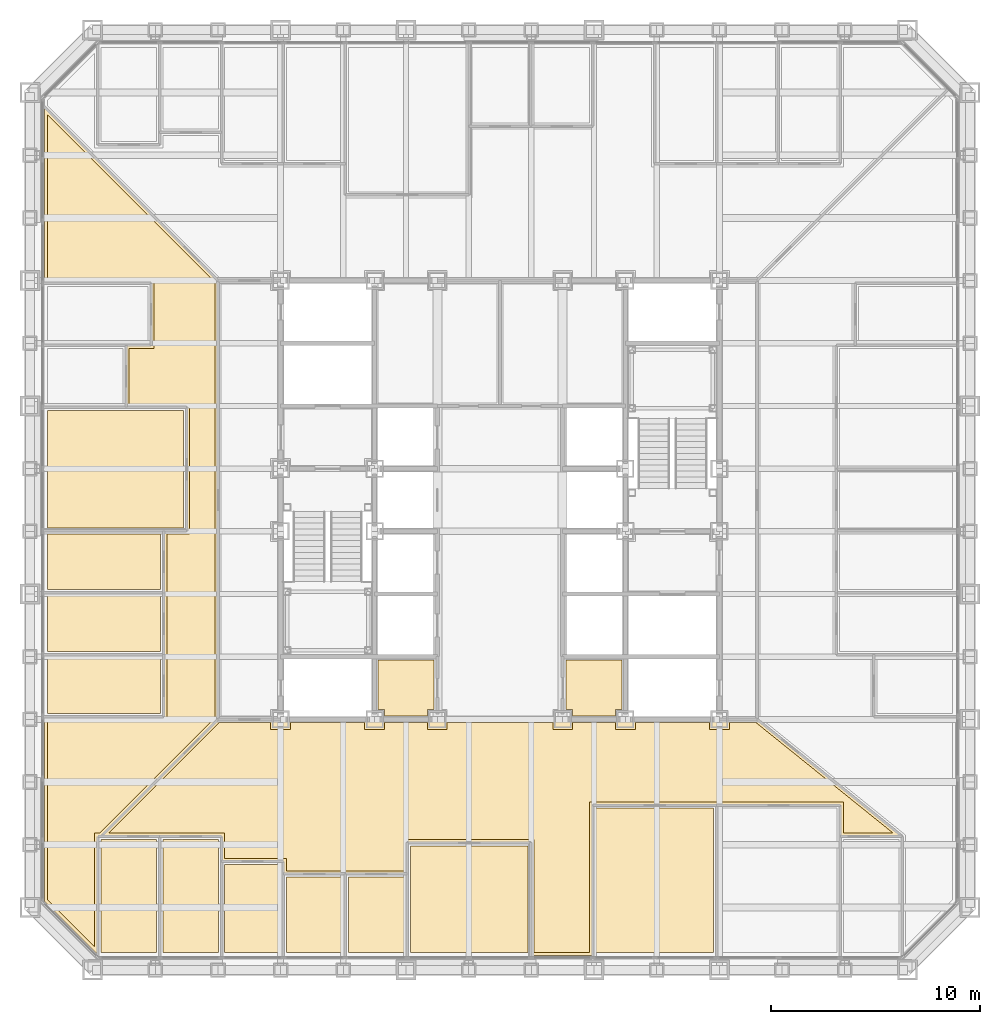
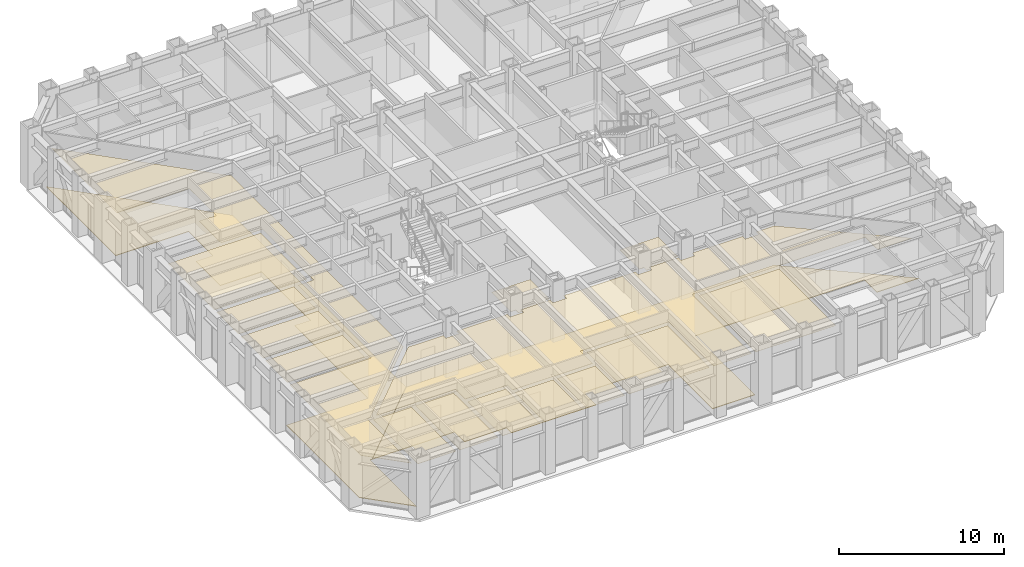
# One storey, part 14 of 17: 17 coverings.
"""IFC4 building model written with IfcOpenShell, lengths in metres."""

from ifc_helpers import new_model, si_unit, direction, frame, origin, place, context, subcontext, project, spatial, polyline, outline, extrude, material, layer, layer_set, type_object, element, save


model = new_model("IFC4")

# Units and contexts
model_context = context("Model", 3, precision=1e-05, world=origin(), true_north=direction((0.0, 1.0)))
body_context = subcontext(model_context, "Body", "Model", "MODEL_VIEW")
ifc_project = project(units=[si_unit("LENGTHUNIT", "METRE"), si_unit("AREAUNIT", "SQUARE_METRE"), si_unit("VOLUMEUNIT", "CUBIC_METRE"), si_unit("PLANEANGLEUNIT", "RADIAN"), si_unit("MASSUNIT", "GRAM", prefix="KILO")], contexts=[model_context])

# Site, building, storey
site_placement = place(None, origin())
site = spatial("IfcSite", under=ifc_project, at=site_placement, CompositionType="ELEMENT")
building_placement = place(site_placement, origin())
building = spatial("IfcBuilding", under=site, at=building_placement, Name="Chuquiago Exchange Tower", CompositionType="ELEMENT")
storey_placement = place(building_placement, frame((0.0, 0.0, 37.800048828125)))
storey = spatial("IfcBuildingStorey", under=building, at=storey_placement, Name="L07", CompositionType="ELEMENT", Elevation=37.800048828125)

# Coverings
ifc_material_1 = material(Name="Mineral fibre tile, 600 x 600, on pale metal grid", Category="mineral fibre")
ifc_layer_1 = layer(ifc_material_1, 0.02001953125)
ifc_layer_set_1 = layer_set([ifc_layer_1], Name="CL1 suspended tile ceiling 20")
covering_type_1 = type_object("IfcCoveringType", Name="CL1 suspended tile ceiling 20", PredefinedType="CEILING", material=ifc_layer_set_1)
covering_1_placement = place(storey_placement, frame((0.0, 0.0, 3.0)))
element("IfcCovering", 1, at=covering_1_placement, inside=storey, type_object=covering_type_1, Name="Ceiling Office", PredefinedType="CEILING", context=body_context, shape_type="SweptSolid", body=[
    extrude(outline(polyline([(3.3984375, 6.25), (6.060302734375, 6.25), (6.060302734375, 0.85009765625), (3.3984375, 0.85009765625), (3.3984375, 6.25)])), origin(), (0.0, 0.0, 1.0), 0.02001953125),
])
covering_2_placement = place(storey_placement, frame((0.0, 0.0, 3.0)))
element("IfcCovering", 2, at=covering_2_placement, inside=storey, type_object=covering_type_1, Name="Ceiling Office", PredefinedType="CEILING", context=body_context, shape_type="SweptSolid", body=[
    extrude(outline(polyline([(6.3603515625, 6.25), (9.022216796875, 6.25), (9.022216796875, 0.85009765625), (6.3603515625, 0.85009765625), (6.3603515625, 6.25)])), origin(), (0.0, 0.0, 1.0), 0.02001953125),
])
covering_3_placement = place(storey_placement, frame((0.0, 0.0, 3.0)))
element("IfcCovering", 3, at=covering_3_placement, inside=storey, type_object=covering_type_1, Name="Ceiling Pantry", PredefinedType="CEILING", context=body_context, shape_type="SweptSolid", body=[
    extrude(outline(polyline([(9.322021484375, 5.050048828125), (11.98388671875, 5.050048828125), (11.98388671875, 0.85009765625), (9.322021484375, 0.85009765625), (9.322021484375, 5.050048828125)])), origin(), (0.0, 0.0, 1.0), 0.02001953125),
])
covering_4_placement = place(storey_placement, frame((0.0, 0.0, 3.0)))
element("IfcCovering", 4, at=covering_4_placement, inside=storey, type_object=covering_type_1, Name="Ceiling Focus room", PredefinedType="CEILING", context=body_context, shape_type="SweptSolid", body=[
    extrude(outline(polyline([(12.28369140625, 4.449951171875), (14.945556640625, 4.449951171875), (14.945556640625, 0.85009765625), (12.28369140625, 0.85009765625), (12.28369140625, 4.449951171875)])), origin(), (0.0, 0.0, 1.0), 0.02001953125),
])
covering_5_placement = place(storey_placement, frame((0.0, 0.0, 3.0)))
element("IfcCovering", 5, at=covering_5_placement, inside=storey, type_object=covering_type_1, Name="Ceiling Focus room", PredefinedType="CEILING", context=body_context, shape_type="SweptSolid", body=[
    extrude(outline(polyline([(15.24560546875, 4.449951171875), (17.907470703125, 4.449951171875), (17.907470703125, 0.85009765625), (15.24560546875, 0.85009765625), (15.24560546875, 4.449951171875)])), origin(), (0.0, 0.0, 1.0), 0.02001953125),
])
covering_6_placement = place(storey_placement, frame((0.0, 0.0, 3.0)))
element("IfcCovering", 6, at=covering_6_placement, inside=storey, type_object=covering_type_1, Name="Ceiling Meeting room", PredefinedType="CEILING", context=body_context, shape_type="SweptSolid", body=[
    extrude(outline(polyline([(18.20751953125, 5.949951171875), (23.830810546875, 5.949951171875), (23.830810546875, 0.85009765625), (18.20751953125, 0.85009765625), (18.20751953125, 5.949951171875)])), origin(), (0.0, 0.0, 1.0), 0.02001953125),
])
covering_7_placement = place(storey_placement, frame((0.0, 0.0, 3.0)))
element("IfcCovering", 7, at=covering_7_placement, inside=storey, type_object=covering_type_1, Name="Ceiling Risk management office", PredefinedType="CEILING", context=body_context, shape_type="SweptSolid", body=[
    extrude(outline(polyline([(27.092529296875, 7.75), (32.71630859375, 7.75), (32.71630859375, 0.85009765625), (27.092529296875, 0.85009765625), (27.092529296875, 7.75)])), origin(), (0.0, 0.0, 1.0), 0.02001953125),
])
covering_8_placement = place(storey_placement, frame((0.0, 0.0, 3.0)))
element("IfcCovering", 8, at=covering_8_placement, inside=storey, type_object=covering_type_1, Name="Ceiling Meeting room", PredefinedType="CEILING", context=body_context, shape_type="SweptSolid", body=[
    extrude(outline(polyline([(6.25, 14.945556640625), (6.25, 12.28369140625), (0.85009765625, 12.28369140625), (0.85009765625, 14.945556640625), (6.25, 14.945556640625)])), origin(), (0.0, 0.0, 1.0), 0.02001953125),
])
covering_9_placement = place(storey_placement, frame((0.0, 0.0, 3.0)))
element("IfcCovering", 9, at=covering_9_placement, inside=storey, type_object=covering_type_1, Name="Ceiling Meeting room", PredefinedType="CEILING", context=body_context, shape_type="SweptSolid", body=[
    extrude(outline(polyline([(6.25, 17.907470703125), (6.25, 15.24560546875), (0.85009765625, 15.24560546875), (0.85009765625, 17.907470703125), (6.25, 17.907470703125)])), origin(), (0.0, 0.0, 1.0), 0.02001953125),
])
covering_10_placement = place(storey_placement, frame((0.0, 0.0, 3.0)))
element("IfcCovering", 10, at=covering_10_placement, inside=storey, type_object=covering_type_1, Name="Ceiling Meeting room", PredefinedType="CEILING", context=body_context, shape_type="SweptSolid", body=[
    extrude(outline(polyline([(6.25, 20.869140625), (6.25, 18.20751953125), (0.85009765625, 18.20751953125), (0.85009765625, 20.869140625), (6.25, 20.869140625)])), origin(), (0.0, 0.0, 1.0), 0.02001953125),
])
covering_11_placement = place(storey_placement, frame((0.0, 0.0, 3.0)))
element("IfcCovering", 11, at=covering_11_placement, inside=storey, type_object=covering_type_1, Name="Ceiling Conference room", PredefinedType="CEILING", context=body_context, shape_type="SweptSolid", body=[
    extrude(outline(polyline([(7.35009765625, 26.79248046875), (7.35009765625, 21.169189453125), (0.85009765625, 21.169189453125), (0.85009765625, 26.79248046875), (7.35009765625, 26.79248046875)])), origin(), (0.0, 0.0, 1.0), 0.02001953125),
])
covering_12_placement = place(storey_placement, frame((0.0, 0.0, 3.0)))
element("IfcCovering", 12, at=covering_12_placement, inside=storey, type_object=covering_type_1, Name="Ceiling Trading floor south", PredefinedType="CEILING", context=body_context, shape_type="SweptSolid", body=[
    extrude(outline(polyline([(38.939697265625, 8.050048828125), (26.79248046875, 8.050048828125), (26.79248046875, 0.85009765625), (24.130859375, 0.85009765625), (24.130859375, 6.25), (17.907470703125, 6.25), (17.907470703125, 4.75), (12.28369140625, 4.75), (12.28369140625, 5.35009765625), (9.322021484375, 5.35009765625), (9.322021484375, 6.550048828125), (3.7626953125, 6.550048828125), (9.0625, 11.85009765625), (11.52490234375, 11.85009765625), (11.52490234375, 11.52490234375), (12.47509765625, 11.52490234375), (12.47509765625, 11.85009765625), (16.02490234375, 11.85009765625), (16.02490234375, 11.52490234375), (16.97509765625, 11.52490234375), (16.97509765625, 11.85009765625), (19.02490234375, 11.85009765625), (19.02490234375, 11.52490234375), (19.97509765625, 11.52490234375), (19.97509765625, 11.85009765625), (25.02490234375, 11.85009765625), (25.02490234375, 11.52490234375), (25.97509765625, 11.52490234375), (25.97509765625, 11.85009765625), (28.02490234375, 11.85009765625), (28.02490234375, 11.52490234375), (28.97509765625, 11.52490234375), (28.97509765625, 11.85009765625), (32.52490234375, 11.85009765625), (32.52490234375, 11.52490234375), (33.47509765625, 11.52490234375), (33.47509765625, 11.85009765625), (34.74658203125, 11.85009765625), (41.325439453125, 6.550048828125), (38.939697265625, 6.550048828125), (38.939697265625, 8.050048828125)])), origin(), (0.0, 0.0, 1.0), 0.02001953125),
])
covering_13_placement = place(storey_placement, frame((0.0, 0.0, 3.0)))
element("IfcCovering", 13, at=covering_13_placement, inside=storey, type_object=covering_type_1, Name="Ceiling Trading floor west", PredefinedType="CEILING", context=body_context, shape_type="SweptSolid", body=[
    extrude(outline(polyline([(6.550048828125, 20.869140625), (7.64990234375, 20.869140625), (7.64990234375, 27.092529296875), (4.75, 27.092529296875), (4.75, 29.75439453125), (5.949951171875, 29.75439453125), (5.949951171875, 33.01611328125), (0.85009765625, 33.01611328125), (0.85009765625, 40.937255859375), (8.85009765625, 32.9375), (8.85009765625, 12.0625), (3.337158203125, 6.550048828125), (3.098388671875, 6.550048828125), (3.098388671875, 1.103515625), (0.85009765625, 3.35205078125), (0.85009765625, 11.98388671875), (6.550048828125, 11.98388671875), (6.550048828125, 20.869140625)])), origin(), (0.0, 0.0, 1.0), 0.02001953125),
])
ifc_material_2 = material(Name="Moisture resistant plasterboard on metal frame", Category="gypsum")
ifc_layer_2 = layer(ifc_material_2, 0.014892578125)
ifc_layer_set_2 = layer_set([ifc_layer_2], Name="CL2 moisture resistant ceiling 15")
covering_type_2 = type_object("IfcCoveringType", Name="CL2 moisture resistant ceiling 15", PredefinedType="CEILING", material=ifc_layer_set_2)
covering_14_placement = place(storey_placement, frame((0.0, 0.0, 2.599853515625)))
element("IfcCovering", 14, at=covering_14_placement, inside=storey, type_object=covering_type_2, Name="Ceiling Accessible WC", PredefinedType="CEILING", context=body_context, shape_type="SweptSolid", body=[
    extrude(outline(polyline([(25.97509765625, 12.14990234375), (25.97509765625, 12.47509765625), (25.64990234375, 12.47509765625), (25.64990234375, 14.85009765625), (28.35009765625, 14.85009765625), (28.35009765625, 12.47509765625), (28.02490234375, 12.47509765625), (28.02490234375, 12.14990234375), (25.97509765625, 12.14990234375)])), origin(), (0.0, 0.0, 1.0), 0.01513671875),
])
covering_15_placement = place(storey_placement, frame((0.0, 0.0, 2.599853515625)))
element("IfcCovering", 15, at=covering_15_placement, inside=storey, type_object=covering_type_2, Name="Ceiling Cleaner", PredefinedType="CEILING", context=body_context, shape_type="SweptSolid", body=[
    extrude(outline(polyline([(16.97509765625, 12.14990234375), (16.97509765625, 12.47509765625), (16.64990234375, 12.47509765625), (16.64990234375, 14.85009765625), (19.35009765625, 14.85009765625), (19.35009765625, 12.47509765625), (19.02490234375, 12.47509765625), (19.02490234375, 12.14990234375), (16.97509765625, 12.14990234375)])), origin(), (0.0, 0.0, 1.0), 0.01513671875),
])
ifc_material_3 = material(Name="Steel raised floor panel", Category="steel")
ifc_layer_3 = layer(ifc_material_3, 0.0400390625)
ifc_layer_set_3 = layer_set([ifc_layer_3], Name="RF1 raised access floor 40")
covering_type_3 = type_object("IfcCoveringType", Name="RF1 raised access floor 40", PredefinedType="FLOORING", material=ifc_layer_set_3)
covering_16_placement = place(storey_placement, frame((0.0, 0.0, -0.0400390625)))
element("IfcCovering", 16, at=covering_16_placement, inside=storey, type_object=covering_type_3, Name="Raised access floor Trading floor south", PredefinedType="FLOORING", context=body_context, shape_type="SweptSolid", body=[
    extrude(outline(polyline([(38.789794921875, 6.39990234375), (38.789794921875, 7.89990234375), (26.942626953125, 7.89990234375), (26.942626953125, 0.699951171875), (23.98095703125, 0.699951171875), (23.98095703125, 6.10009765625), (18.057373046875, 6.10009765625), (18.057373046875, 4.60009765625), (12.1337890625, 4.60009765625), (12.1337890625, 5.199951171875), (9.172119140625, 5.199951171875), (9.172119140625, 6.39990234375), (3.400634765625, 6.39990234375), (9.00048828125, 12.0), (34.799560546875, 12.0), (41.750732421875, 6.39990234375), (38.789794921875, 6.39990234375)])), origin(), (0.0, 0.0, 1.0), 0.0400390625),
])
covering_17_placement = place(storey_placement, frame((0.0, 0.0, -0.0400390625)))
element("IfcCovering", 17, at=covering_17_placement, inside=storey, type_object=covering_type_3, Name="Raised access floor Trading floor west", PredefinedType="FLOORING", context=body_context, shape_type="SweptSolid", body=[
    extrude(outline(polyline([(6.39990234375, 12.1337890625), (6.39990234375, 21.01904296875), (7.5, 21.01904296875), (7.5, 26.942626953125), (4.60009765625, 26.942626953125), (4.60009765625, 29.904296875), (5.800048828125, 29.904296875), (5.800048828125, 32.8662109375), (0.699951171875, 32.8662109375), (0.699951171875, 41.29931640625), (9.0, 32.99951171875), (9.0, 12.00048828125), (3.3994140625, 6.39990234375), (3.24853515625, 6.39990234375), (3.24853515625, 0.741455078125), (0.699951171875, 3.289794921875), (0.699951171875, 12.1337890625), (6.39990234375, 12.1337890625)])), origin(), (0.0, 0.0, 1.0), 0.0400390625),
])

save(model, "model.ifc")
